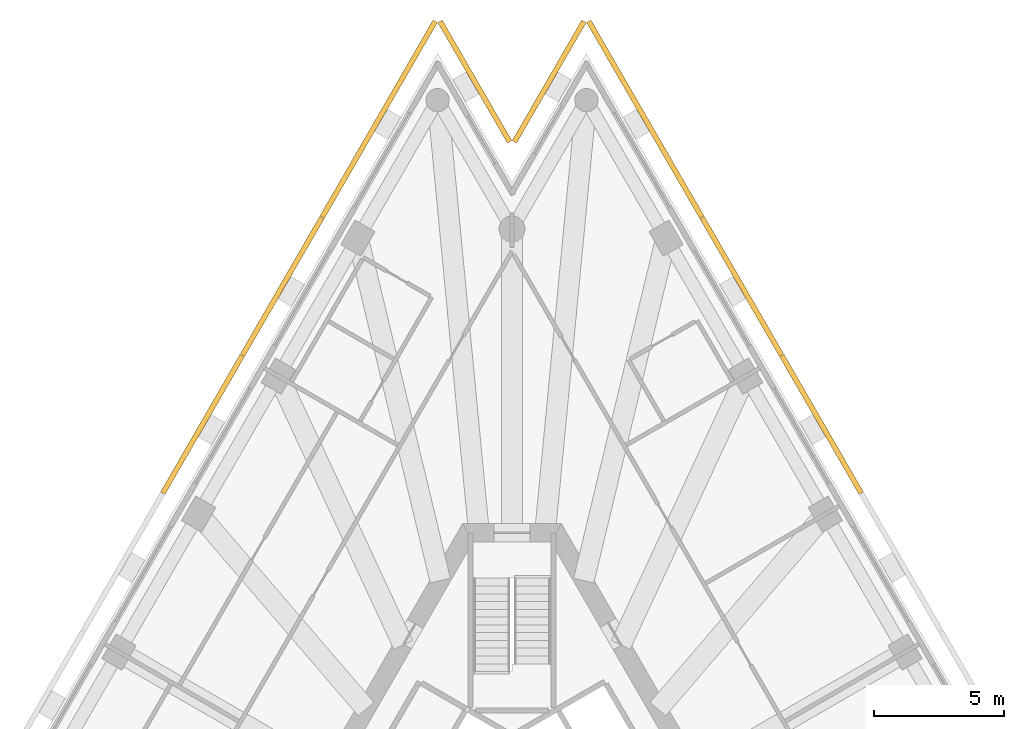
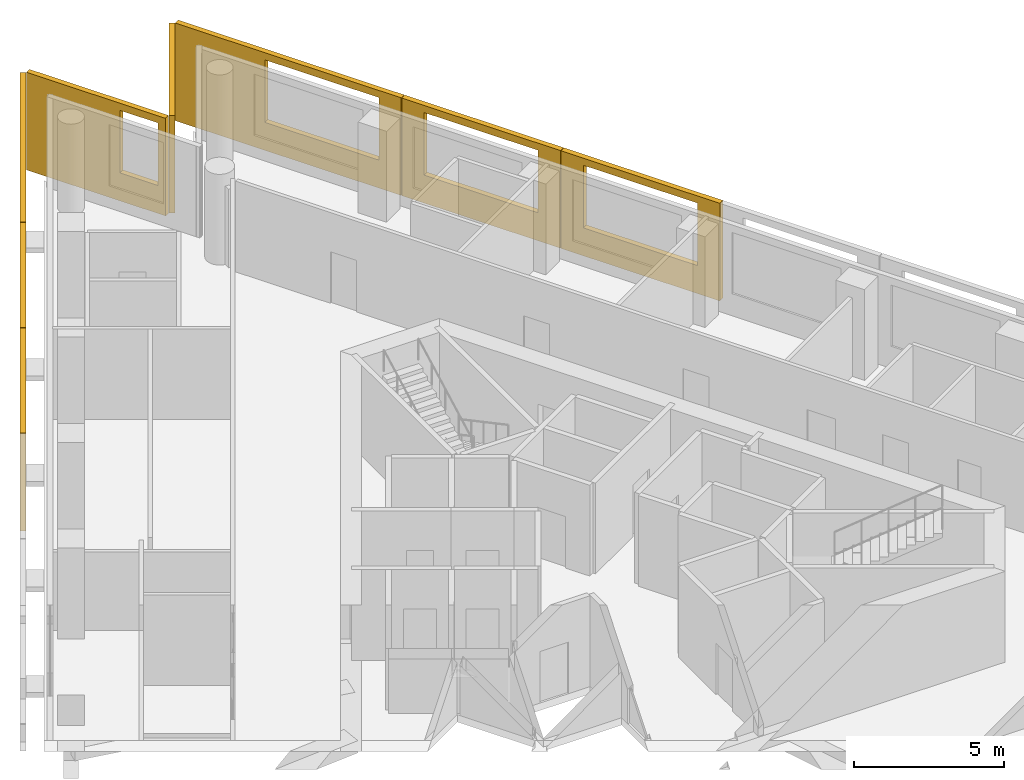
# One storey, part 9 of 9: 8 shading devices.
"""IFC4 building model written with IfcOpenShell, lengths in metres."""

from ifc_helpers import new_model, si_unit, direction, frame, origin, place, context, subcontext, project, spatial, polyline, outline, extrude, material, layer, layer_set, type_object, element, save


model = new_model("IFC4")

# Units and contexts
model_context = context("Model", 3, precision=1e-05, world=origin(), true_north=direction((0.0, 1.0)))
body_context = subcontext(model_context, "Body", "Model", "MODEL_VIEW")
ifc_project = project(units=[si_unit("LENGTHUNIT", "METRE"), si_unit("AREAUNIT", "SQUARE_METRE"), si_unit("VOLUMEUNIT", "CUBIC_METRE"), si_unit("PLANEANGLEUNIT", "RADIAN"), si_unit("MASSUNIT", "GRAM", prefix="KILO")], contexts=[model_context])

# Site, building, storey
site_placement = place(None, origin())
site = spatial("IfcSite", under=ifc_project, at=site_placement, CompositionType="ELEMENT")
building_placement = place(site_placement, origin())
building = spatial("IfcBuilding", under=site, at=building_placement, Name="Triada Interchange Tower", CompositionType="ELEMENT")
storey_placement = place(building_placement, frame((0.0, 0.0, 203.300048828125)))
storey = spatial("IfcBuildingStorey", under=building, at=storey_placement, Name="L47", CompositionType="ELEMENT", Elevation=203.300048828125)

# Shading devices
ifc_material = material(Name="Concrete C50/60 precast", Category="concrete")
ifc_layer_1 = layer(ifc_material, 0.02001953125, Name="Exposed aggregate face")
ifc_layer_2 = layer(ifc_material, 0.179931640625, Name="Precast concrete screen")
ifc_layer_set = layer_set([ifc_layer_1, ifc_layer_2], Name="Outer skin screen panel 3980")
shading_device_type = type_object("IfcShadingDeviceType", Name="Outer skin screen panel 3980", PredefinedType="SHUTTER", material=ifc_layer_set)
shading_device_1_placement = place(storey_placement, frame((-2.8740234375, 33.02587890625, -0.2900390625), z_axis=(0.0, 0.0, 1.0), x_axis=(-0.500031800419, -0.866007043025, 0.0)))
element("IfcShadingDevice", 1, at=shading_device_1_placement, inside=storey, type_object=shading_device_type, Name="Outer skin screen panel L47 01", PredefinedType="SHUTTER", context=body_context, shape_type="SweptSolid", body=[
    extrude(outline(polyline([(0.0, 0.0), (8.7216796875, 0.0), (8.7216796875, 3.97998046875), (0.0, 3.97998046875), (0.0, 0.0)]), holes=[polyline([(3.460693359375, 1.139892578125), (3.460693359375, 3.68994140625), (7.860595703125, 3.68994140625), (7.860595703125, 1.139892578125), (3.460693359375, 1.139892578125)])]), frame((0.0, 0.0, 0.0), z_axis=(0.0, -1.0, 0.0), x_axis=(1.0, 0.0, 0.0)), (0.0, 0.0, 1.0), 0.199951171875),
])
shading_device_2_placement = place(storey_placement, frame((-7.2451171875, 25.455078125, -0.2900390625), z_axis=(0.0, 0.0, 1.0), x_axis=(-0.500011207537, -0.866018933013, 0.0)))
element("IfcShadingDevice", 2, at=shading_device_2_placement, inside=storey, type_object=shading_device_type, Name="Outer skin screen panel L47 02", PredefinedType="SHUTTER", context=body_context, shape_type="SweptSolid", body=[
    extrude(outline(polyline([(0.0, 0.0), (6.123291015625, 0.0), (6.123291015625, 3.97998046875), (0.0, 3.97998046875), (0.0, 0.0)]), holes=[polyline([(0.8623046875, 1.139892578125), (0.8623046875, 3.68994140625), (5.26220703125, 3.68994140625), (5.26220703125, 1.139892578125), (0.8623046875, 1.139892578125)])]), frame((0.0, 0.0, 0.0), z_axis=(0.0, -1.0, 0.0), x_axis=(1.0, 0.0, 0.0)), (0.0, 0.0, 1.0), 0.199951171875),
])
for number, where, z_axis, x_axis, name in (
    (3, (-10.31689453125, 20.134033203125, -0.2900390625), (0.0, 0.0, 1.0), (-0.500041108788, -0.866001668314, 0.0), "Outer skin screen panel L47 03"),
    (4, (13.37890625, 14.8310546875, -0.2900390625), (0.0, 0.0, 1.0), (-0.500041108788, 0.866001668314, 0.0), "Outer skin screen panel L47 26"),
):
    element("IfcShadingDevice", number, at=place(storey_placement, frame(where, z_axis=z_axis, x_axis=x_axis)), inside=storey, type_object=shading_device_type, Name=name, PredefinedType="SHUTTER", context=body_context, shape_type="SweptSolid", body=[
        extrude(outline(polyline([(0.0, 0.0), (6.12353515625, 0.0), (6.12353515625, 3.97998046875), (0.0, 3.97998046875), (0.0, 0.0)]), holes=[polyline([(0.8623046875, 1.139892578125), (0.8623046875, 3.68994140625), (5.26220703125, 3.68994140625), (5.26220703125, 1.139892578125), (0.8623046875, 1.139892578125)])]), frame((0.0, 0.0, 0.0), z_axis=(0.0, -1.0, 0.0), x_axis=(1.0, 0.0, 0.0)), (0.0, 0.0, 1.0), 0.199951171875),
    ])
shading_device_3_placement = place(storey_placement, frame((10.306884765625, 20.152099609375, -0.2900390625), z_axis=(0.0, 0.0, 1.0), x_axis=(-0.500011207537, 0.866018933013, 0.0)))
element("IfcShadingDevice", 5, at=shading_device_3_placement, inside=storey, type_object=shading_device_type, Name="Outer skin screen panel L47 27", PredefinedType="SHUTTER", context=body_context, shape_type="SweptSolid", body=[
    extrude(outline(polyline([(0.0, 0.0), (6.123291015625, 0.0), (6.123291015625, 3.97998046875), (0.0, 3.97998046875), (0.0, 0.0)]), holes=[polyline([(0.862060546875, 1.139892578125), (0.862060546875, 3.68994140625), (5.26220703125, 3.68994140625), (5.26220703125, 1.139892578125), (0.862060546875, 1.139892578125)])]), frame((0.0, 0.0, 0.0), z_axis=(0.0, -1.0, 0.0), x_axis=(1.0, 0.0, 0.0)), (0.0, 0.0, 1.0), 0.199951171875),
])
shading_device_4_placement = place(storey_placement, frame((7.235107421875, 25.472900390625, -0.2900390625), z_axis=(0.0, 0.0, 1.0), x_axis=(-0.500031800419, 0.866007043025, 0.0)))
element("IfcShadingDevice", 6, at=shading_device_4_placement, inside=storey, type_object=shading_device_type, Name="Outer skin screen panel L47 28", PredefinedType="SHUTTER", context=body_context, shape_type="SweptSolid", body=[
    extrude(outline(polyline([(0.0, 0.0), (8.7216796875, 0.0), (8.7216796875, 3.97998046875), (0.0, 3.97998046875), (0.0, 0.0)]), holes=[polyline([(0.86181640625, 1.139892578125), (0.86181640625, 3.68994140625), (5.261962890625, 3.68994140625), (5.261962890625, 1.139892578125), (0.86181640625, 1.139892578125)])]), frame((0.0, 0.0, 0.0), z_axis=(0.0, -1.0, 0.0), x_axis=(1.0, 0.0, 0.0)), (0.0, 0.0, 1.0), 0.199951171875),
])
shading_device_5_placement = place(storey_placement, frame((2.864013671875, 33.02587890625, -0.2900390625), z_axis=(0.0, 0.0, 1.0), x_axis=(-0.500197305346, -0.865911459518, 0.0)))
element("IfcShadingDevice", 7, at=shading_device_5_placement, inside=storey, type_object=shading_device_type, Name="Outer skin screen panel L47 29", PredefinedType="SHUTTER", context=body_context, shape_type="SweptSolid", body=[
    extrude(outline(polyline([(0.0, 0.0), (5.369873046875, 0.0), (5.369873046875, 3.97998046875), (0.0, 3.97998046875), (0.0, 0.0)]), holes=[polyline([(3.175537109375, 1.139892578125), (3.175537109375, 3.68994140625), (5.070556640625, 3.68994140625), (5.070556640625, 1.139892578125), (3.175537109375, 1.139892578125)])]), frame((0.0, 0.0, 0.0), z_axis=(0.0, -1.0, 0.0), x_axis=(1.0, 0.0, 0.0)), (0.0, 0.0, 1.0), 0.199951171875),
])
shading_device_6_placement = place(storey_placement, frame((-0.177978515625, 28.3759765625, -0.2900390625), z_axis=(0.0, 0.0, 1.0), x_axis=(-0.500197305346, 0.865911459518, 0.0)))
element("IfcShadingDevice", 8, at=shading_device_6_placement, inside=storey, type_object=shading_device_type, Name="Outer skin screen panel L47 30", PredefinedType="SHUTTER", context=body_context, shape_type="SweptSolid", body=[
    extrude(outline(polyline([(0.0, 0.0), (5.369873046875, 0.0), (5.369873046875, 3.97998046875), (0.0, 3.97998046875), (0.0, 0.0)]), holes=[polyline([(0.300048828125, 1.139892578125), (0.300048828125, 3.68994140625), (1.758056640625, 3.68994140625), (1.758056640625, 1.139892578125), (0.300048828125, 1.139892578125)])]), frame((0.0, 0.0, 0.0), z_axis=(0.0, -1.0, 0.0), x_axis=(1.0, 0.0, 0.0)), (0.0, 0.0, 1.0), 0.199951171875),
])

save(model, "model.ifc")
